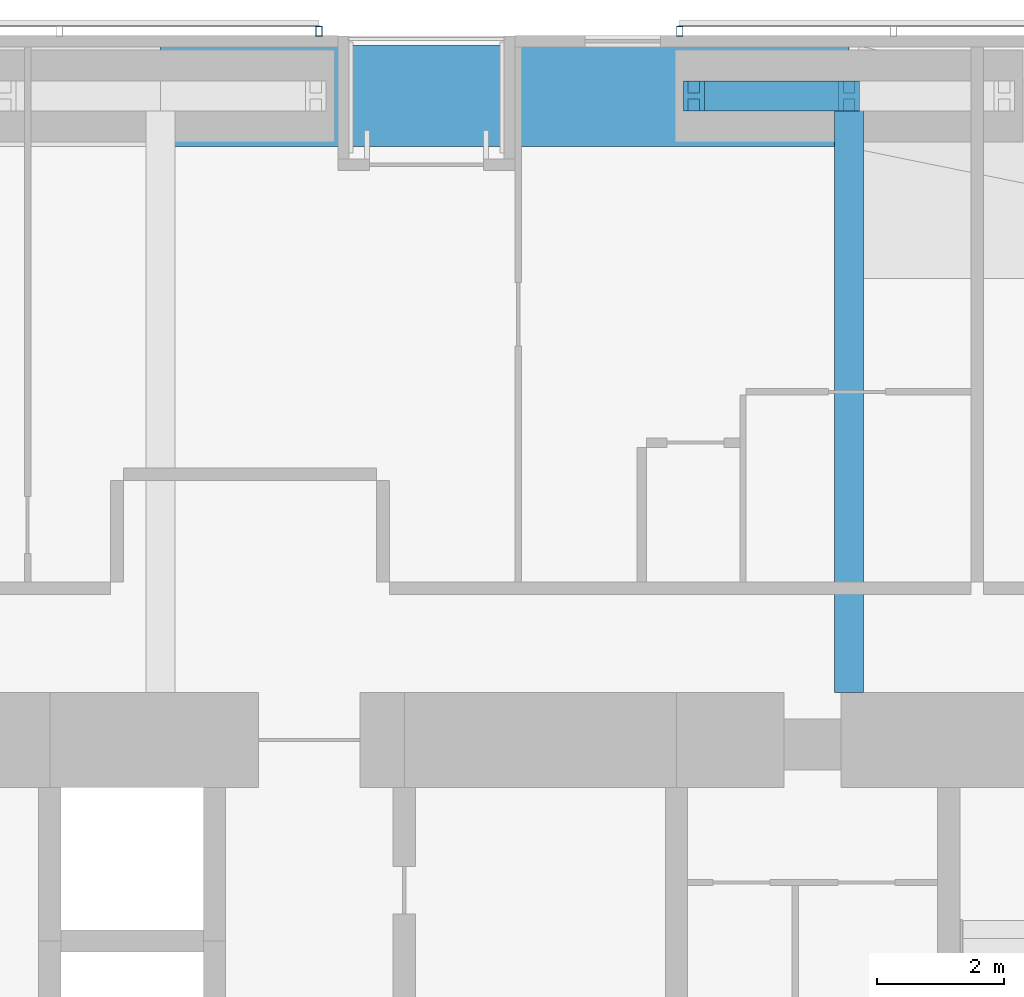
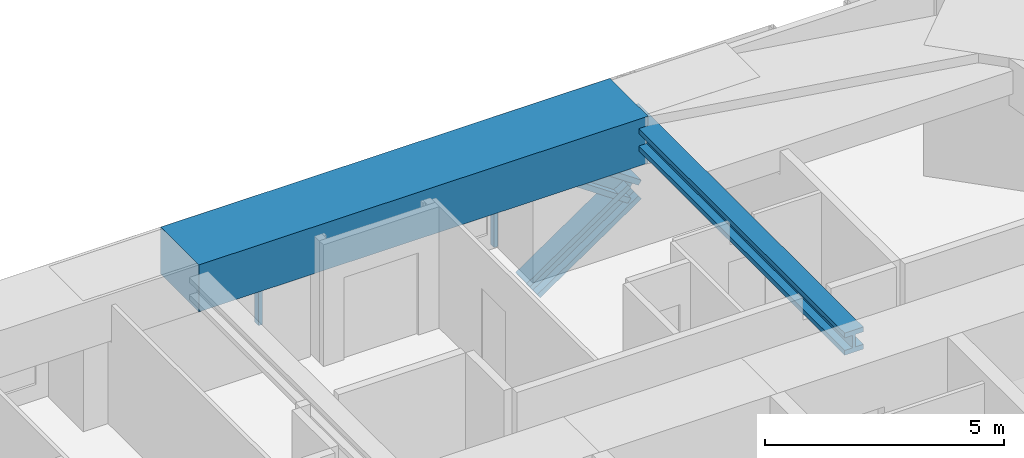
# One storey, part 13 of 23: 4 members, 2 beams, 2 elements without a shape of their own.
"""IFC4 building model written with IfcOpenShell, lengths in metres."""

from ifc_helpers import new_model, si_unit, direction, frame, origin, origin_2d, place, context, subcontext, project, spatial, rectangle, hollow_rectangle, i_section, extrude, material, material_profile, profile_set, type_object, element, aggregate, save


model = new_model("IFC4")

# Units and contexts
model_context = context("Model", 3, precision=1e-05, world=origin(), true_north=direction((0.0, 1.0)))
body_context = subcontext(model_context, "Body", "Model", "MODEL_VIEW")
ifc_project = project(units=[si_unit("LENGTHUNIT", "METRE"), si_unit("AREAUNIT", "SQUARE_METRE"), si_unit("VOLUMEUNIT", "CUBIC_METRE"), si_unit("PLANEANGLEUNIT", "RADIAN"), si_unit("MASSUNIT", "GRAM", prefix="KILO")], contexts=[model_context])

# Site, building, storey
site_placement = place(None, origin())
site = spatial("IfcSite", under=ifc_project, at=site_placement, CompositionType="ELEMENT")
building_placement = place(site_placement, origin())
building = spatial("IfcBuilding", under=site, at=building_placement, Name="Jalousie Tower", CompositionType="ELEMENT")
storey_placement = place(building_placement, frame((0.0, 0.0, 108.199951171875)))
storey = spatial("IfcBuildingStorey", under=building, at=storey_placement, Name="L29", CompositionType="ELEMENT", Elevation=108.199951171875)

# Beam
ifc_material_1 = material(Name="Steel ASTM A992 Grade 50", Category="steel")
ifc_material_profile_1 = material_profile(ifc_material_1, i_section(OverallWidth=0.45458984375, OverallDepth=0.569091796875, WebThickness=0.077880859375, FlangeThickness=0.124755859375, at=origin_2d()), Name="W14X730")
ifc_profile_set_1 = profile_set([ifc_material_profile_1], Name="Steel ASTM A992 Grade 50")
beam_type_1 = type_object("IfcBeamType", Name="LEAN COLLECTOR W14X730", PredefinedType="BEAM", material=ifc_profile_set_1)
beam_1_placement = place(storey_placement, frame((38.625, 37.050048828125, 2.825439453125), z_axis=(0.0, -1.0, 0.0), x_axis=(1.0, 0.0, 0.0)))
element("IfcBeam", 1, at=beam_1_placement, inside=storey, type_object=beam_type_1, Name="Lean collector under L30", PredefinedType="BEAM", context=body_context, shape_type="SweptSolid", body=[
    extrude(i_section(OverallWidth=0.45458984375, OverallDepth=0.569091796875, WebThickness=0.077880859375, FlangeThickness=0.124755859375, at=origin_2d()), origin(), (0.0, 0.0, 1.0), 9.425048828125),
])

# Members
ifc_material_2 = material(Name="Steel ASTM A992 Grade 50", Category="steel")
ifc_material_profile_2 = material_profile(ifc_material_2, i_section(OverallWidth=0.472412109375, OverallDepth=0.5791015625, WebThickness=0.094970703125, FlangeThickness=0.1298828125, at=origin_2d()), Name="W14X808")
ifc_profile_set_2 = profile_set([ifc_material_profile_2], Name="Steel ASTM A992 Grade 50")
member_type_1 = type_object("IfcMemberType", Name="PERIMETER BRACE W14X808", PredefinedType="BRACE", material=ifc_profile_set_2)
for number, where, z_axis, x_axis, name in (
    (2, (36.175048828125, 37.050048828125, -0.599853515625), (0.825539243753, 0.0, 0.564344714713), (0.0, 1.0, 0.0), "Perimeter brace 09 L29 part 1"),
    (3, (38.625, 37.050048828125, 1.074951171875), (-0.825500916831, 0.0, 0.564400776321), (0.0, -1.0, 0.0), "Perimeter brace 09 L29 part 4"),
):
    element("IfcMember", number, at=place(storey_placement, frame(where, z_axis=z_axis, x_axis=x_axis)), inside=storey, type_object=member_type_1, Name=name, PredefinedType="BRACE", context=body_context, shape_type="SweptSolid", body=[
        extrude(i_section(OverallWidth=0.472412109375, OverallDepth=0.5791015625, WebThickness=0.094970703125, FlangeThickness=0.1298828125, at=origin_2d()), origin(), (0.0, 0.0, 1.0), 2.9677734375),
    ])

# Beam
ifc_material_3 = material(Name="Concrete f'c 40 MPa", Category="concrete")
ifc_material_profile_3 = material_profile(ifc_material_3, rectangle(XDim=1.60009765625, YDim=1.199951171875, at=origin_2d()), Name="RC 1600x1200")
ifc_profile_set_3 = profile_set([ifc_material_profile_3], Name="Concrete f'c 40 MPa")
beam_type_2 = type_object("IfcBeamType", Name="RC BEAM 1600x1200", PredefinedType="BEAM", material=ifc_profile_set_3)
beam_2_placement = place(storey_placement, frame((38.625, 37.050048828125, 2.75), z_axis=(-1.0, 0.0, 0.0), x_axis=(0.0, -1.0, 0.0)))
element("IfcBeam", 4, at=beam_2_placement, inside=storey, type_object=beam_type_2, Name="Edge band beam 09-10 under L30", PredefinedType="BEAM", context=body_context, shape_type="SweptSolid", body=[
    extrude(rectangle(XDim=1.60009765625, YDim=1.199951171875, at=origin_2d()), origin(), (0.0, 0.0, 1.0), 10.875),
])

# Curtain wall, member
ifc_material_4 = material(Name="Perforated aluminium sheet", Category="aluminium")
curtain_wall_type = type_object("IfcCurtainWallType", Name="SOLAR SCREEN SS-1", PredefinedType="USERDEFINED", material=ifc_material_4)
curtain_wall_1_placement = place(storey_placement, origin())
curtain_wall_1 = element("IfcCurtainWall", 5, at=curtain_wall_1_placement, inside=storey, type_object=curtain_wall_type, Name="Solar screen L29", ObjectType="SOLAR SCREEN SS-1", PredefinedType="USERDEFINED")
ifc_material_5 = material(Name="Steel ASTM A500 Grade C", Category="steel")
ifc_material_profile_4 = material_profile(ifc_material_5, hollow_rectangle(XDim=0.1015625, YDim=0.15234375, WallThickness=0.00634765625, at=origin_2d()), Name="HSS6X4X1/4")
ifc_profile_set_4 = profile_set([ifc_material_profile_4], Name="Steel ASTM A500 Grade C")
member_type_2 = type_object("IfcMemberType", Name="SOLAR SCREEN SS-1 MULLION", PredefinedType="MULLION", material=ifc_profile_set_4)
member_1_placement = place(storey_placement, frame((35.950439453125, 38.0712890625, -0.119873046875), z_axis=(0.0, 0.0, 1.0), x_axis=(-1.0, 0.0, 0.0)))
member_1 = element("IfcMember", 6, at=member_1_placement, type_object=member_type_2, Name="SS1 post 3", PredefinedType="MULLION", context=body_context, shape_type="SweptSolid", body=[
    extrude(hollow_rectangle(XDim=0.1015625, YDim=0.15234375, WallThickness=0.00634765625, at=origin_2d()), origin(), (0.0, 0.0, 1.0), 3.22998046875),
])
aggregate(curtain_wall_1, [member_1])

curtain_wall_2_placement = place(storey_placement, origin())
curtain_wall_2 = element("IfcCurtainWall", 7, at=curtain_wall_2_placement, inside=storey, type_object=curtain_wall_type, Name="Solar screen L29", ObjectType="SOLAR SCREEN SS-1", PredefinedType="USERDEFINED")
member_2_placement = place(storey_placement, frame((30.25048828125, 38.0712890625, -0.119873046875), z_axis=(0.0, 0.0, 1.0), x_axis=(-1.0, 0.0, 0.0)))
member_2 = element("IfcMember", 8, at=member_2_placement, type_object=member_type_2, Name="SS1 post 1", PredefinedType="MULLION", context=body_context, shape_type="SweptSolid", body=[
    extrude(hollow_rectangle(XDim=0.1015625, YDim=0.15234375, WallThickness=0.00634765625, at=origin_2d()), origin(), (0.0, 0.0, 1.0), 3.22998046875),
])
aggregate(curtain_wall_2, [member_2])

save(model, "model.ifc")
